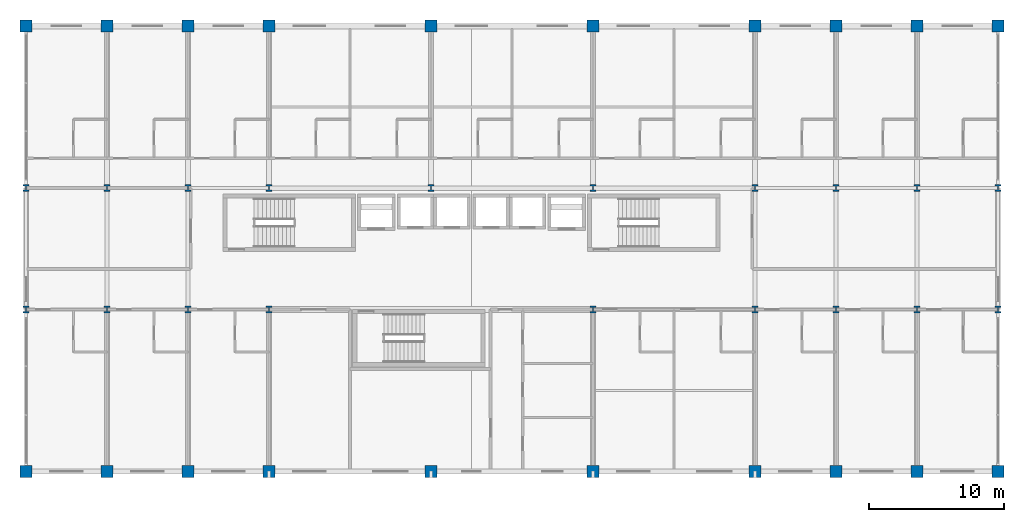
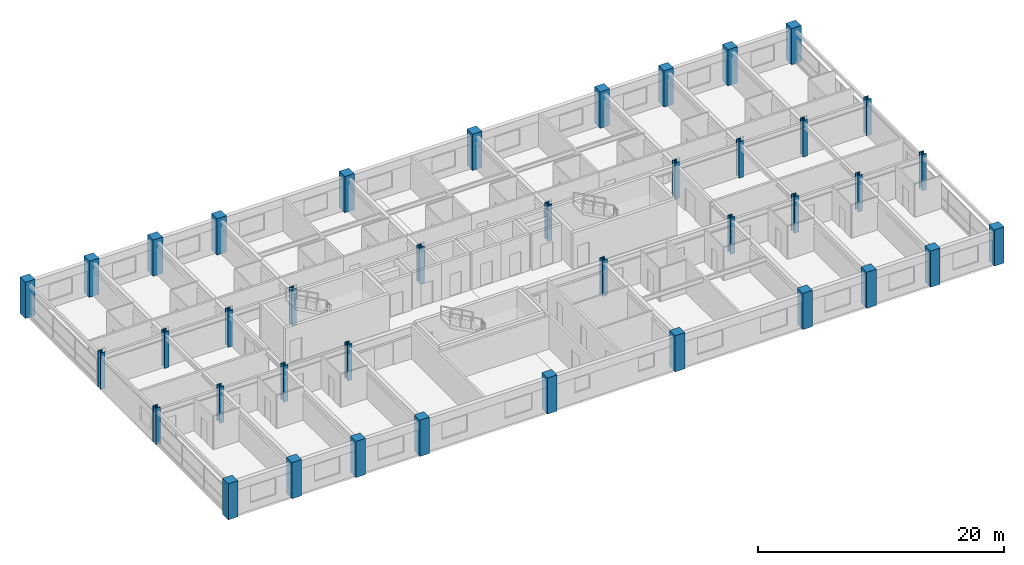
# One storey, part 1 of 22: 39 columns.
"""IFC4 building model written with IfcOpenShell, lengths in metres."""

from ifc_helpers import new_model, si_unit, direction, frame, origin, origin_2d, place, context, subcontext, project, spatial, rectangle, i_section, extrude, material, material_profile, profile_set, type_object, element, save


model = new_model("IFC4")

# Units and contexts
model_context = context("Model", 3, precision=1e-05, world=origin(), true_north=direction((0.0, 1.0)))
body_context = subcontext(model_context, "Body", "Model", "MODEL_VIEW")
ifc_project = project(units=[si_unit("LENGTHUNIT", "METRE"), si_unit("AREAUNIT", "SQUARE_METRE"), si_unit("VOLUMEUNIT", "CUBIC_METRE"), si_unit("PLANEANGLEUNIT", "RADIAN"), si_unit("MASSUNIT", "GRAM", prefix="KILO")], contexts=[model_context])

# Site, building, storey
site_placement = place(None, origin())
site = spatial("IfcSite", under=ifc_project, at=site_placement, CompositionType="ELEMENT")
building_placement = place(site_placement, origin())
building = spatial("IfcBuilding", under=site, at=building_placement, Name="Kaldorvane Square Convention Centre", CompositionType="ELEMENT")
storey_placement = place(building_placement, frame((0.0, 0.0, 31.199996948242188)))
storey = spatial("IfcBuildingStorey", under=building, at=storey_placement, Name="L06", CompositionType="ELEMENT", Elevation=31.199996948242188)

# Columns
ifc_material_1 = material(Name="Concrete f'c = 55 MPa (Normalweight)", Category="concrete")
ifc_material_profile_1 = material_profile(ifc_material_1, rectangle(XDim=0.899993896484375, YDim=0.899993896484375, at=origin_2d()), Name="RC900X900")
ifc_profile_set_1 = profile_set([ifc_material_profile_1], Name="Concrete f'c = 55 MPa (Normalweight)")
column_type_1 = type_object("IfcColumnType", Name="COL-RC-900", PredefinedType="COLUMN", material=ifc_profile_set_1)
for number, where, z_axis, x_axis, name in (
    (1, (24.0, 84.0, 0.0), (0.0, 0.0, 1.0), (1.0, 0.0, 0.0), "Column CC-03 (L06)"),
    (2, (24.0, 117.0, 0.0), (0.0, 0.0, 1.0), (1.0, 0.0, 0.0), "Column CC-03 (L06)"),
    (3, (30.0, 84.0, 0.0), (0.0, 0.0, 1.0), (1.0, 0.0, 0.0), "Column CC-03 (L06)"),
    (4, (30.0, 117.0, 0.0), (0.0, 0.0, 1.0), (1.0, 0.0, 0.0), "Column CC-03 (L06)"),
    (5, (36.0, 84.0, 0.0), (0.0, 0.0, 1.0), (1.0, 0.0, 0.0), "Column CC-03 (L06)"),
    (6, (36.0, 117.0, 0.0), (0.0, 0.0, 1.0), (1.0, 0.0, 0.0), "Column CC-03 (L06)"),
    (7, (42.0, 84.0, 0.0), (0.0, 0.0, 1.0), (1.0, 0.0, 0.0), "Column CC-03 (L06)"),
    (8, (42.0, 117.0, 0.0), (0.0, 0.0, 1.0), (1.0, 0.0, 0.0), "Column CC-03 (L06)"),
    (9, (54.0, 84.0, 0.0), (0.0, 0.0, 1.0), (1.0, 0.0, 0.0), "Column CC-03 (L06)"),
    (10, (54.0, 117.0, 0.0), (0.0, 0.0, 1.0), (1.0, 0.0, 0.0), "Column CC-03 (L06)"),
    (11, (66.0, 84.0, 0.0), (0.0, 0.0, 1.0), (1.0, 0.0, 0.0), "Column CC-03 (L06)"),
    (12, (66.0, 117.0, 0.0), (0.0, 0.0, 1.0), (1.0, 0.0, 0.0), "Column CC-03 (L06)"),
    (13, (78.0, 84.0, 0.0), (0.0, 0.0, 1.0), (1.0, 0.0, 0.0), "Column CC-03 (L06)"),
    (14, (78.0, 117.0, 0.0), (0.0, 0.0, 1.0), (1.0, 0.0, 0.0), "Column CC-03 (L06)"),
    (15, (84.0, 84.0, 0.0), (0.0, 0.0, 1.0), (1.0, 0.0, 0.0), "Column CC-03 (L06)"),
    (16, (84.0, 117.0, 0.0), (0.0, 0.0, 1.0), (1.0, 0.0, 0.0), "Column CC-03 (L06)"),
    (17, (90.0, 84.0, 0.0), (0.0, 0.0, 1.0), (1.0, 0.0, 0.0), "Column CC-03 (L06)"),
    (18, (90.0, 117.0, 0.0), (0.0, 0.0, 1.0), (1.0, 0.0, 0.0), "Column CC-03 (L06)"),
    (19, (96.0, 84.0, 0.0), (0.0, 0.0, 1.0), (1.0, 0.0, 0.0), "Column CC-03 (L06)"),
    (20, (96.0, 117.0, 0.0), (0.0, 0.0, 1.0), (1.0, 0.0, 0.0), "Column CC-03 (L06)"),
):
    element("IfcColumn", number, at=place(storey_placement, frame(where, z_axis=z_axis, x_axis=x_axis)), inside=storey, type_object=column_type_1, Name=name, PredefinedType="COLUMN", context=body_context, shape_type="SweptSolid", body=[
        extrude(rectangle(XDim=0.899993896484375, YDim=0.899993896484375, at=origin_2d()), origin(), (0.0, 0.0, 1.0), 3.600006103515625),
    ])
ifc_material_2 = material(Name="Steel ASTM A992 Gr. 50", Category="steel")
ifc_material_profile_2 = material_profile(ifc_material_2, i_section(OverallWidth=0.432098388671875, OverallDepth=0.497802734375, WebThickness=0.05560302734375, FlangeThickness=0.088897705078125, FilletRadius=0.0305023193359375, at=origin_2d()), Name="W14X500")
ifc_profile_set_2 = profile_set([ifc_material_profile_2], Name="Steel ASTM A992 Gr. 50")
column_type_2 = type_object("IfcColumnType", Name="COL-STL-500", PredefinedType="COLUMN", material=ifc_profile_set_2)
for number, where, z_axis, x_axis, name in (
    (21, (24.0, 96.0, 0.0), (0.0, 0.0, 1.0), (1.0, 0.0, 0.0), "Column SC-03 (L06)"),
    (22, (24.0, 105.0, 0.0), (0.0, 0.0, 1.0), (1.0, 0.0, 0.0), "Column SC-03 (L06)"),
    (23, (30.0, 96.0, 0.0), (0.0, 0.0, 1.0), (1.0, 0.0, 0.0), "Column SC-03 (L06)"),
    (24, (30.0, 105.0, 0.0), (0.0, 0.0, 1.0), (1.0, 0.0, 0.0), "Column SC-03 (L06)"),
    (25, (36.0, 96.0, 0.0), (0.0, 0.0, 1.0), (1.0, 0.0, 0.0), "Column SC-03 (L06)"),
    (26, (36.0, 105.0, 0.0), (0.0, 0.0, 1.0), (1.0, 0.0, 0.0), "Column SC-03 (L06)"),
    (27, (42.0, 96.0, 0.0), (0.0, 0.0, 1.0), (1.0, 0.0, 0.0), "Column SC-03 (L06)"),
    (28, (42.0, 105.0, 0.0), (0.0, 0.0, 1.0), (1.0, 0.0, 0.0), "Column SC-03 (L06)"),
    (29, (54.0, 105.0, 0.0), (0.0, 0.0, 1.0), (1.0, 0.0, 0.0), "Column SC-03 (L06)"),
    (30, (66.0, 96.0, 0.0), (0.0, 0.0, 1.0), (1.0, 0.0, 0.0), "Column SC-03 (L06)"),
    (31, (66.0, 105.0, 0.0), (0.0, 0.0, 1.0), (1.0, 0.0, 0.0), "Column SC-03 (L06)"),
    (32, (78.0, 96.0, 0.0), (0.0, 0.0, 1.0), (1.0, 0.0, 0.0), "Column SC-03 (L06)"),
    (33, (78.0, 105.0, 0.0), (0.0, 0.0, 1.0), (1.0, 0.0, 0.0), "Column SC-03 (L06)"),
    (34, (84.0, 96.0, 0.0), (0.0, 0.0, 1.0), (1.0, 0.0, 0.0), "Column SC-03 (L06)"),
    (35, (84.0, 105.0, 0.0), (0.0, 0.0, 1.0), (1.0, 0.0, 0.0), "Column SC-03 (L06)"),
    (36, (90.0, 96.0, 0.0), (0.0, 0.0, 1.0), (1.0, 0.0, 0.0), "Column SC-03 (L06)"),
    (37, (90.0, 105.0, 0.0), (0.0, 0.0, 1.0), (1.0, 0.0, 0.0), "Column SC-03 (L06)"),
    (38, (96.0, 96.0, 0.0), (0.0, 0.0, 1.0), (1.0, 0.0, 0.0), "Column SC-03 (L06)"),
    (39, (96.0, 105.0, 0.0), (0.0, 0.0, 1.0), (1.0, 0.0, 0.0), "Column SC-03 (L06)"),
):
    element("IfcColumn", number, at=place(storey_placement, frame(where, z_axis=z_axis, x_axis=x_axis)), inside=storey, type_object=column_type_2, Name=name, PredefinedType="COLUMN", context=body_context, shape_type="SweptSolid", body=[
        extrude(i_section(OverallWidth=0.432098388671875, OverallDepth=0.497802734375, WebThickness=0.05560302734375, FlangeThickness=0.088897705078125, FilletRadius=0.0305023193359375, at=origin_2d()), origin(), (0.0, 0.0, 1.0), 3.600006103515625),
    ])

save(model, "model.ifc")
